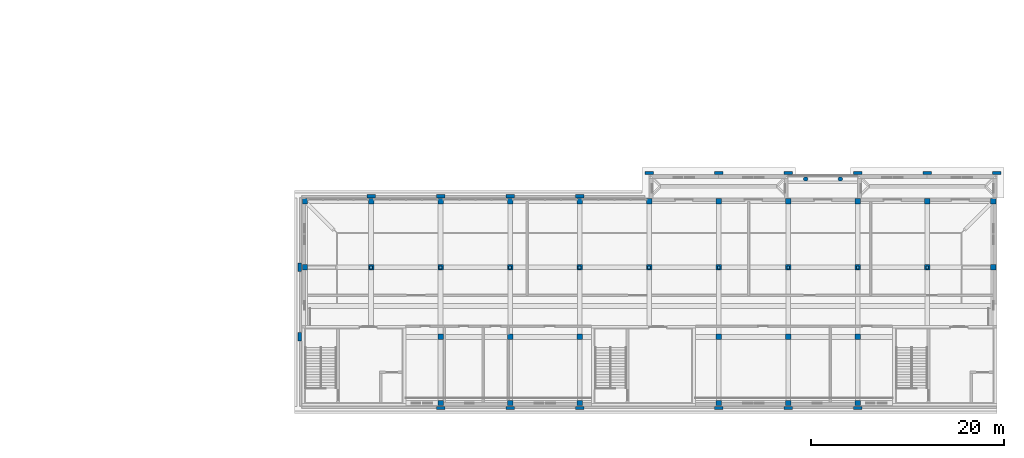
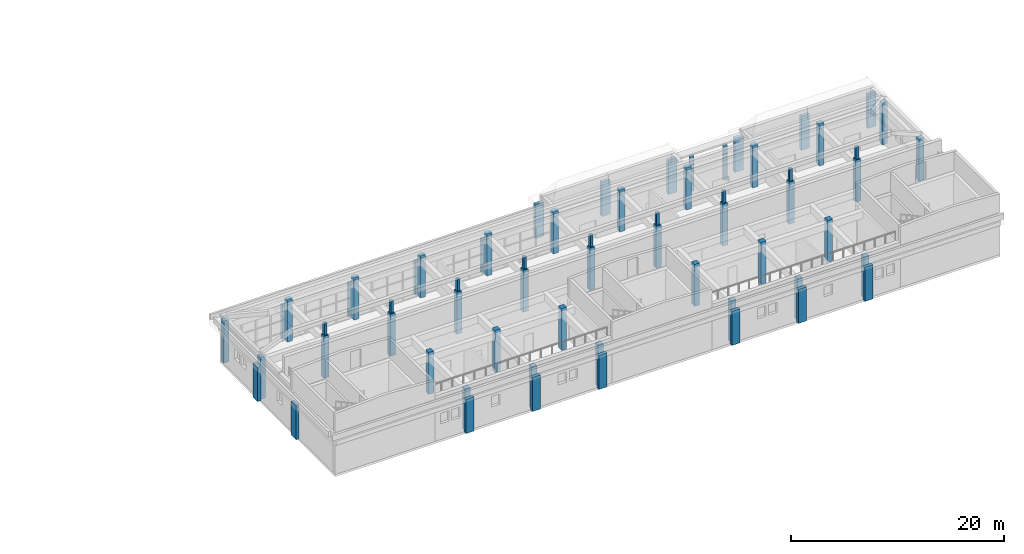
# One storey, part 2 of 48: 63 columns.
"""IFC4 building model written with IfcOpenShell, lengths in metres."""

from ifc_helpers import new_model, si_unit, direction, frame, origin, origin_2d, place, context, subcontext, project, spatial, rectangle, circle, extrude, material, material_profile, profile_set, type_object, element, save


model = new_model("IFC4")

# Units and contexts
model_context = context("Model", 3, precision=1e-05, world=origin(), true_north=direction((0.0, 1.0)))
body_context = subcontext(model_context, "Body", "Model", "MODEL_VIEW")
ifc_project = project(units=[si_unit("LENGTHUNIT", "METRE"), si_unit("AREAUNIT", "SQUARE_METRE"), si_unit("VOLUMEUNIT", "CUBIC_METRE"), si_unit("PLANEANGLEUNIT", "RADIAN"), si_unit("MASSUNIT", "GRAM", prefix="KILO")], contexts=[model_context])

# Site, building, storey
site_placement = place(None, origin())
site = spatial("IfcSite", under=ifc_project, at=site_placement, CompositionType="ELEMENT")
building_placement = place(site_placement, origin())
building = spatial("IfcBuilding", under=site, at=building_placement, Name="Alderwick Market Hall", CompositionType="ELEMENT")
storey_placement = place(building_placement, frame((0.0, 0.0, 14.39990234375)))
storey = spatial("IfcBuildingStorey", under=building, at=storey_placement, Name="L02", CompositionType="ELEMENT", Elevation=14.39990234375)

# Columns
ifc_material = material(Name="Concrete 5000 psi (f'c 35 MPa)", Category="concrete")
ifc_material_profile_1 = material_profile(ifc_material, rectangle(XDim=0.550048828125, YDim=0.550048828125, at=origin_2d()), Name="RC 550x550")
ifc_profile_set_1 = profile_set([ifc_material_profile_1], Name="Concrete 5000 psi (f'c 35 MPa)")
column_type_1 = type_object("IfcColumnType", Name="C Column RC 550x550", PredefinedType="COLUMN", material=ifc_profile_set_1)
for number, where, z_axis, x_axis, name in (
    (1, (158.75, 28.449951171875, 0.0), (0.0, 0.0, 1.0), (1.0, 0.0, 0.0), "C.col.L02.01"),
    (2, (165.60009765625, 28.449951171875, 0.0), (0.0, 0.0, 1.0), (1.0, 0.0, 0.0), "C.col.L02.02"),
    (3, (172.800048828125, 28.449951171875, 0.0), (0.0, 0.0, 1.0), (1.0, 0.0, 0.0), "C.col.L02.03"),
    (4, (180.0, 28.449951171875, 0.0), (0.0, 0.0, 1.0), (1.0, 0.0, 0.0), "C.col.L02.04"),
    (5, (187.199951171875, 28.449951171875, 0.0), (0.0, 0.0, 1.0), (1.0, 0.0, 0.0), "C.col.L02.05"),
    (6, (194.39990234375, 28.449951171875, 0.0), (0.0, 0.0, 1.0), (1.0, 0.0, 0.0), "C.col.L02.06"),
    (7, (201.60009765625, 28.449951171875, 0.0), (0.0, 0.0, 1.0), (1.0, 0.0, 0.0), "C.col.L02.07"),
    (8, (208.800048828125, 28.449951171875, 0.0), (0.0, 0.0, 1.0), (1.0, 0.0, 0.0), "C.col.L02.08"),
    (9, (216.0, 28.449951171875, 0.0), (0.0, 0.0, 1.0), (1.0, 0.0, 0.0), "C.col.L02.09"),
    (10, (223.199951171875, 28.449951171875, 0.0), (0.0, 0.0, 1.0), (1.0, 0.0, 0.0), "C.col.L02.10"),
    (11, (230.050048828125, 28.449951171875, 0.0), (0.0, 0.0, 1.0), (1.0, 0.0, 0.0), "C.col.L02.11"),
    (12, (158.75, 21.60009765625, 0.0), (0.0, 0.0, 1.0), (1.0, 0.0, 0.0), "C.col.L02.12"),
    (13, (165.60009765625, 21.60009765625, 0.0), (0.0, 0.0, 1.0), (1.0, 0.0, 0.0), "C.col.L02.13"),
    (14, (172.800048828125, 21.60009765625, 0.0), (0.0, 0.0, 1.0), (1.0, 0.0, 0.0), "C.col.L02.14"),
    (15, (180.0, 21.60009765625, 0.0), (0.0, 0.0, 1.0), (1.0, 0.0, 0.0), "C.col.L02.15"),
    (16, (187.199951171875, 21.60009765625, 0.0), (0.0, 0.0, 1.0), (1.0, 0.0, 0.0), "C.col.L02.16"),
    (17, (194.39990234375, 21.60009765625, 0.0), (0.0, 0.0, 1.0), (1.0, 0.0, 0.0), "C.col.L02.17"),
    (18, (201.60009765625, 21.60009765625, 0.0), (0.0, 0.0, 1.0), (1.0, 0.0, 0.0), "C.col.L02.18"),
    (19, (208.800048828125, 21.60009765625, 0.0), (0.0, 0.0, 1.0), (1.0, 0.0, 0.0), "C.col.L02.19"),
    (20, (216.0, 21.60009765625, 0.0), (0.0, 0.0, 1.0), (1.0, 0.0, 0.0), "C.col.L02.20"),
    (21, (223.199951171875, 21.60009765625, 0.0), (0.0, 0.0, 1.0), (1.0, 0.0, 0.0), "C.col.L02.21"),
    (22, (230.050048828125, 21.60009765625, 0.0), (0.0, 0.0, 1.0), (1.0, 0.0, 0.0), "C.col.L02.22"),
    (23, (172.800048828125, 14.39990234375, 0.0), (0.0, 0.0, 1.0), (1.0, 0.0, 0.0), "C.col.L02.23"),
    (24, (180.0, 14.39990234375, 0.0), (0.0, 0.0, 1.0), (1.0, 0.0, 0.0), "C.col.L02.24"),
    (25, (187.199951171875, 14.39990234375, 0.0), (0.0, 0.0, 1.0), (1.0, 0.0, 0.0), "C.col.L02.25"),
    (26, (201.60009765625, 14.39990234375, 0.0), (0.0, 0.0, 1.0), (1.0, 0.0, 0.0), "C.col.L02.26"),
    (27, (208.800048828125, 14.39990234375, 0.0), (0.0, 0.0, 1.0), (1.0, 0.0, 0.0), "C.col.L02.27"),
    (28, (216.0, 14.39990234375, 0.0), (0.0, 0.0, 1.0), (1.0, 0.0, 0.0), "C.col.L02.28"),
    (29, (172.800048828125, 7.550048828125, 0.0), (0.0, 0.0, 1.0), (1.0, 0.0, 0.0), "C.col.L02.29"),
    (30, (180.0, 7.550048828125, 0.0), (0.0, 0.0, 1.0), (1.0, 0.0, 0.0), "C.col.L02.30"),
    (31, (187.199951171875, 7.550048828125, 0.0), (0.0, 0.0, 1.0), (1.0, 0.0, 0.0), "C.col.L02.31"),
    (32, (201.60009765625, 7.550048828125, 0.0), (0.0, 0.0, 1.0), (1.0, 0.0, 0.0), "C.col.L02.32"),
    (33, (208.800048828125, 7.550048828125, 0.0), (0.0, 0.0, 1.0), (1.0, 0.0, 0.0), "C.col.L02.33"),
    (34, (216.0, 7.550048828125, 0.0), (0.0, 0.0, 1.0), (1.0, 0.0, 0.0), "C.col.L02.34"),
):
    element("IfcColumn", number, at=place(storey_placement, frame(where, z_axis=z_axis, x_axis=x_axis)), inside=storey, type_object=column_type_1, Name=name, PredefinedType="COLUMN", context=body_context, shape_type="SweptSolid", body=[
        extrude(rectangle(XDim=0.550048828125, YDim=0.550048828125, at=origin_2d()), origin(), (0.0, 0.0, 1.0), 4.800048828125),
    ])
ifc_material_profile_2 = material_profile(ifc_material, circle(Radius=0.22509765625, at=origin_2d()), Name="PC D450")
ifc_profile_set_2 = profile_set([ifc_material_profile_2], Name="Concrete 5000 psi (f'c 35 MPa)")
column_type_2 = type_object("IfcColumnType", Name="C Loggia Column Precast Concrete D450", PredefinedType="COLUMN", material=ifc_profile_set_2)
for number, where, z_axis, x_axis, name in (
    (35, (210.60009765625, 30.75, 0.0), (0.0, 0.0, 1.0), (1.0, 0.0, 0.0), "C.loggia.col.01"),
    (36, (214.199951171875, 30.75, 0.0), (0.0, 0.0, 1.0), (1.0, 0.0, 0.0), "C.loggia.col.02"),
):
    element("IfcColumn", number, at=place(storey_placement, frame(where, z_axis=z_axis, x_axis=x_axis)), inside=storey, type_object=column_type_2, Name=name, PredefinedType="COLUMN", context=body_context, shape_type="SweptSolid", body=[
        extrude(circle(Radius=0.22509765625, at=origin_2d()), origin(), (0.0, 0.0, 1.0), 3.9501953125),
    ])
ifc_material_profile_3 = material_profile(ifc_material, rectangle(XDim=0.89990234375, YDim=0.35009765625, at=origin_2d()), Name="PC 900x350")
ifc_profile_set_3 = profile_set([ifc_material_profile_3], Name="Concrete 5000 psi (f'c 35 MPa)")
column_type_3 = type_object("IfcColumnType", Name="C Pilaster Precast Concrete 900x350", PredefinedType="PILASTER", material=ifc_profile_set_3)
for number, where, z_axis, x_axis, name in (
    (37, (165.60009765625, 28.97509765625, 0.0), (0.0, 0.0, 1.0), (1.0, 0.0, 0.0), "C.pilaster.L02.004"),
    (38, (172.800048828125, 28.97509765625, 0.0), (0.0, 0.0, 1.0), (1.0, 0.0, 0.0), "C.pilaster.L02.008"),
    (39, (180.0, 28.97509765625, 0.0), (0.0, 0.0, 1.0), (1.0, 0.0, 0.0), "C.pilaster.L02.012"),
    (40, (187.199951171875, 28.97509765625, 0.0), (0.0, 0.0, 1.0), (1.0, 0.0, 0.0), "C.pilaster.L02.016"),
    (41, (172.800048828125, 7.02490234375, 0.0), (0.0, 0.0, 1.0), (1.0, 0.0, 0.0), "C.pilaster.L02.019"),
    (42, (180.0, 7.02490234375, 0.0), (0.0, 0.0, 1.0), (1.0, 0.0, 0.0), "C.pilaster.L02.022"),
    (43, (187.199951171875, 7.02490234375, 0.0), (0.0, 0.0, 1.0), (1.0, 0.0, 0.0), "C.pilaster.L02.025"),
    (44, (201.60009765625, 7.02490234375, 0.0), (0.0, 0.0, 1.0), (1.0, 0.0, 0.0), "C.pilaster.L02.028"),
    (45, (208.800048828125, 7.02490234375, 0.0), (0.0, 0.0, 1.0), (1.0, 0.0, 0.0), "C.pilaster.L02.031"),
    (46, (216.0, 7.02490234375, 0.0), (0.0, 0.0, 1.0), (1.0, 0.0, 0.0), "C.pilaster.L02.034"),
    (47, (158.22509765625, 21.60009765625, 0.0), (0.0, 0.0, 1.0), (0.0, 1.0, 0.0), "C.pilaster.L02.037"),
    (48, (158.22509765625, 14.39990234375, 0.0), (0.0, 0.0, 1.0), (0.0, 1.0, 0.0), "C.pilaster.L02.040"),
    (49, (194.39990234375, 31.375, 0.0), (0.0, 0.0, 1.0), (1.0, 0.0, 0.0), "C.pilaster.L02.pav1.01"),
    (50, (201.60009765625, 31.375, 0.0), (0.0, 0.0, 1.0), (1.0, 0.0, 0.0), "C.pilaster.L02.pav1.02"),
    (51, (208.800048828125, 31.375, 0.0), (0.0, 0.0, 1.0), (1.0, 0.0, 0.0), "C.pilaster.L02.pav1.03"),
    (52, (216.0, 31.375, 0.0), (0.0, 0.0, 1.0), (1.0, 0.0, 0.0), "C.pilaster.L02.pav2.01"),
    (53, (223.199951171875, 31.375, 0.0), (0.0, 0.0, 1.0), (1.0, 0.0, 0.0), "C.pilaster.L02.pav2.02"),
    (54, (230.39990234375, 31.375, 0.0), (0.0, 0.0, 1.0), (1.0, 0.0, 0.0), "C.pilaster.L02.pav2.03"),
):
    element("IfcColumn", number, at=place(storey_placement, frame(where, z_axis=z_axis, x_axis=x_axis)), inside=storey, type_object=column_type_3, Name=name, PredefinedType="PILASTER", context=body_context, shape_type="SweptSolid", body=[
        extrude(rectangle(XDim=0.89990234375, YDim=0.35009765625, at=origin_2d()), origin(), (0.0, 0.0, 1.0), 3.900146484375),
    ])
ifc_material_profile_4 = material_profile(ifc_material, rectangle(XDim=0.300048828125, YDim=0.300048828125, at=origin_2d()), Name="RC 300x300")
ifc_profile_set_4 = profile_set([ifc_material_profile_4], Name="Concrete 5000 psi (f'c 35 MPa)")
column_type_4 = type_object("IfcColumnType", Name="C Roof Post RC 300x300", PredefinedType="COLUMN", material=ifc_profile_set_4)
for number, where, z_axis, x_axis, name in (
    (55, (165.60009765625, 21.60009765625, 4.800048828125), (0.0, 0.0, 1.0), (1.0, 0.0, 0.0), "C.roofpost.L02.01"),
    (56, (172.800048828125, 21.60009765625, 4.800048828125), (0.0, 0.0, 1.0), (1.0, 0.0, 0.0), "C.roofpost.L02.02"),
    (57, (180.0, 21.60009765625, 4.800048828125), (0.0, 0.0, 1.0), (1.0, 0.0, 0.0), "C.roofpost.L02.03"),
    (58, (187.199951171875, 21.60009765625, 4.800048828125), (0.0, 0.0, 1.0), (1.0, 0.0, 0.0), "C.roofpost.L02.04"),
    (59, (194.39990234375, 21.60009765625, 4.800048828125), (0.0, 0.0, 1.0), (1.0, 0.0, 0.0), "C.roofpost.L02.05"),
    (60, (201.60009765625, 21.60009765625, 4.800048828125), (0.0, 0.0, 1.0), (1.0, 0.0, 0.0), "C.roofpost.L02.06"),
    (61, (208.800048828125, 21.60009765625, 4.800048828125), (0.0, 0.0, 1.0), (1.0, 0.0, 0.0), "C.roofpost.L02.07"),
    (62, (216.0, 21.60009765625, 4.800048828125), (0.0, 0.0, 1.0), (1.0, 0.0, 0.0), "C.roofpost.L02.08"),
    (63, (223.199951171875, 21.60009765625, 4.800048828125), (0.0, 0.0, 1.0), (1.0, 0.0, 0.0), "C.roofpost.L02.09"),
):
    element("IfcColumn", number, at=place(storey_placement, frame(where, z_axis=z_axis, x_axis=x_axis)), inside=storey, type_object=column_type_4, Name=name, PredefinedType="COLUMN", context=body_context, shape_type="SweptSolid", body=[
        extrude(rectangle(XDim=0.300048828125, YDim=0.300048828125, at=origin_2d()), origin(), (0.0, 0.0, 1.0), 1.400146484375),
    ])

save(model, "model.ifc")
